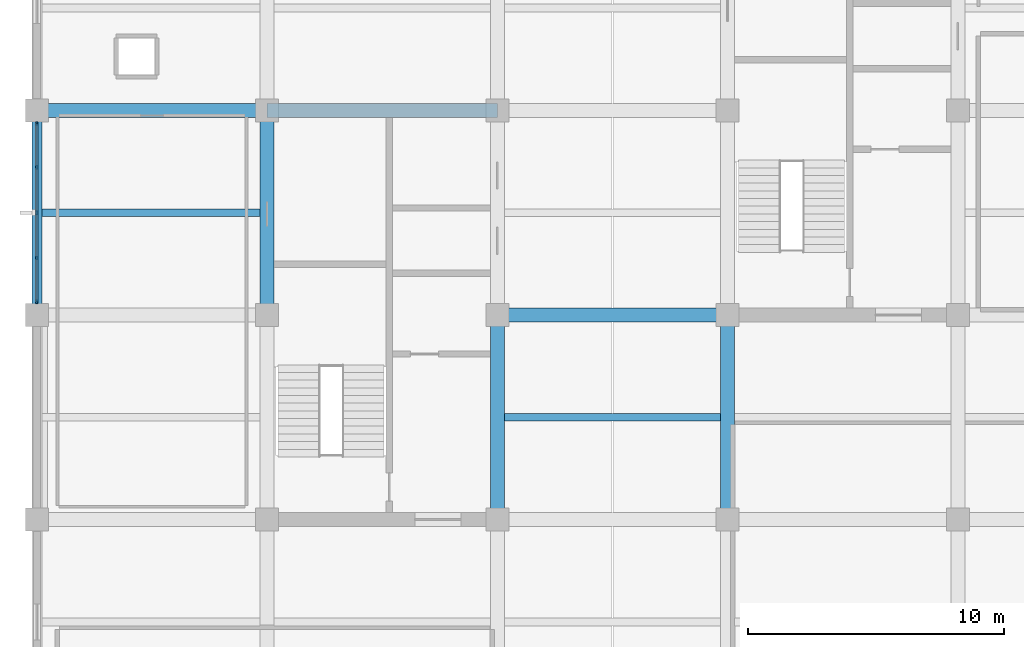
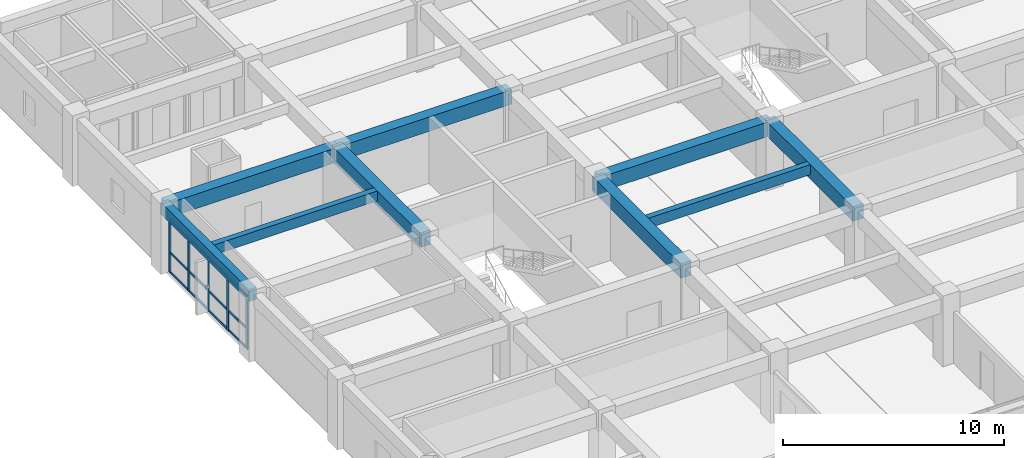
# One storey, part 6 of 23: 9 beams, 8 members, 1 element without a shape of its own.
"""IFC4 building model written with IfcOpenShell, lengths in metres."""

from ifc_helpers import new_model, si_unit, direction, frame, origin, origin_2d, place, context, subcontext, project, spatial, rectangle, extrude, material, material_profile, profile_set, type_object, element, aggregate, save


model = new_model("IFC4")

# Units and contexts
model_context = context("Model", 3, precision=1e-05, world=origin(), true_north=direction((0.0, 1.0)))
body_context = subcontext(model_context, "Body", "Model", "MODEL_VIEW")
ifc_project = project(units=[si_unit("LENGTHUNIT", "METRE"), si_unit("AREAUNIT", "SQUARE_METRE"), si_unit("VOLUMEUNIT", "CUBIC_METRE"), si_unit("PLANEANGLEUNIT", "RADIAN"), si_unit("MASSUNIT", "GRAM", prefix="KILO")], contexts=[model_context])

# Site, building, storey
site_placement = place(None, origin())
site = spatial("IfcSite", under=ifc_project, at=site_placement, CompositionType="ELEMENT")
building_placement = place(site_placement, origin())
building = spatial("IfcBuilding", under=site, at=building_placement, Name="Zaverband Oceanarium and Marine Research Institute", CompositionType="ELEMENT")
storey_placement = place(building_placement, frame((0.0, 0.0, 21.89990234375)))
storey = spatial("IfcBuildingStorey", under=building, at=storey_placement, Name="L05", CompositionType="ELEMENT", Elevation=21.89990234375)

# Beams
ifc_material_1 = material(Name="Concrete C40/50", Category="concrete")
ifc_material_profile_1 = material_profile(ifc_material_1, rectangle(XDim=0.550048828125, YDim=0.800048828125, at=origin_2d()), Name="RC550x800")
ifc_profile_set_1 = profile_set([ifc_material_profile_1], Name="Concrete C40/50")
beam_type_1 = type_object("IfcBeamType", Name="BM-550x800", PredefinedType="BEAM", material=ifc_profile_set_1)
for number, where, z_axis, x_axis, name in (
    (1, (27.0, 88.0, 3.25), (1.0, 0.0, 0.0), (0.0, 1.0, 0.0), "Primary floor girder BM-550x800"),
    (2, (9.0, 96.0, 3.25), (1.0, 0.0, 0.0), (0.0, 1.0, 0.0), "Primary floor girder BM-550x800"),
    (3, (18.0, 96.0, 3.25), (1.0, 0.0, 0.0), (0.0, 1.0, 0.0), "Primary floor girder BM-550x800"),
):
    element("IfcBeam", number, at=place(storey_placement, frame(where, z_axis=z_axis, x_axis=x_axis)), inside=storey, type_object=beam_type_1, Name=name, PredefinedType="BEAM", context=body_context, shape_type="SweptSolid", body=[
        extrude(rectangle(XDim=0.550048828125, YDim=0.800048828125, at=origin_2d()), origin(), (0.0, 0.0, 1.0), 9.0),
    ])
for number, where, z_axis, x_axis, name in (
    (4, (18.0, 88.0, 3.25), (0.0, 1.0, 0.0), (-1.0, 0.0, 0.0), "Primary floor girder BM-550x800"),
    (5, (27.0, 80.0, 3.25), (0.0, 1.0, 0.0), (-1.0, 0.0, 0.0), "Primary floor girder BM-550x800"),
    (6, (36.0, 80.0, 3.25), (0.0, 1.0, 0.0), (-1.0, 0.0, 0.0), "Primary floor girder BM-550x800"),
):
    element("IfcBeam", number, at=place(storey_placement, frame(where, z_axis=z_axis, x_axis=x_axis)), inside=storey, type_object=beam_type_1, Name=name, PredefinedType="BEAM", context=body_context, shape_type="SweptSolid", body=[
        extrude(rectangle(XDim=0.550048828125, YDim=0.800048828125, at=origin_2d()), origin(), (0.0, 0.0, 1.0), 8.0),
    ])
ifc_material_profile_2 = material_profile(ifc_material_1, rectangle(XDim=0.300048828125, YDim=0.550048828125, at=origin_2d()), Name="RC300x550")
ifc_profile_set_2 = profile_set([ifc_material_profile_2], Name="Concrete C40/50")
beam_type_2 = type_object("IfcBeamType", Name="JST-300x550", PredefinedType="JOIST", material=ifc_profile_set_2)
beam_1_placement = place(storey_placement, frame((9.199951171875, 92.0, 3.375), z_axis=(1.0, 0.0, 0.0), x_axis=(0.0, 1.0, 0.0)))
element("IfcBeam", 7, at=beam_1_placement, inside=storey, type_object=beam_type_2, Name="Secondary floor joist JST-300x550", PredefinedType="JOIST", context=body_context, shape_type="SweptSolid", body=[
    extrude(rectangle(XDim=0.300048828125, YDim=0.550048828125, at=origin_2d()), origin(), (0.0, 0.0, 1.0), 8.525146484375),
])
beam_2_placement = place(storey_placement, frame((27.27490234375, 84.0, 3.375), z_axis=(1.0, 0.0, 0.0), x_axis=(0.0, 1.0, 0.0)))
element("IfcBeam", 8, at=beam_2_placement, inside=storey, type_object=beam_type_2, Name="Secondary floor joist JST-300x550", PredefinedType="JOIST", context=body_context, shape_type="SweptSolid", body=[
    extrude(rectangle(XDim=0.300048828125, YDim=0.550048828125, at=origin_2d()), origin(), (0.0, 0.0, 1.0), 8.4501953125),
])

# Curtain wall, members
ifc_material_2 = material(Name="Thermally broken anodized aluminium and solar-control glass", Category="aluminium")
curtain_wall_type = type_object("IfcCurtainWallType", Name="CW-UNIT-1800", PredefinedType="NOTDEFINED", material=ifc_material_2)
curtain_wall_placement = place(storey_placement, origin())
curtain_wall = element("IfcCurtainWall", 9, at=curtain_wall_placement, inside=storey, type_object=curtain_wall_type, Name="Unitised glazed curtain wall CW-074", PredefinedType="NOTDEFINED")
ifc_material_3 = material(Name="Thermally broken anodized aluminium", Category="aluminium")
ifc_material_profile_3 = material_profile(ifc_material_3, rectangle(XDim=0.070068359375, YDim=0.14990234375, at=origin_2d()), Name="AL-MUL-70x150")
ifc_profile_set_3 = profile_set([ifc_material_profile_3], Name="Thermally broken anodized aluminium")
member_type_1 = type_object("IfcMemberType", Name="MUL-70x150", PredefinedType="MULLION", material=ifc_profile_set_3)
member_1_placement = place(storey_placement, frame((9.0, 88.514892578125, 0.0), z_axis=(0.0, 0.0, 1.0), x_axis=(1.0, 0.0, 0.0)))
member_1 = element("IfcMember", 10, at=member_1_placement, type_object=member_type_1, Name="Curtain wall vertical mullion MUL-70x150", PredefinedType="MULLION", context=body_context, shape_type="SweptSolid", body=[
    extrude(rectangle(XDim=0.070068359375, YDim=0.14990234375, at=origin_2d()), origin(), (0.0, 0.0, 1.0), 2.97998046875),
])
member_2_placement = place(storey_placement, frame((9.0, 90.2275390625, 0.0), z_axis=(0.0, 0.0, 1.0), x_axis=(1.0, 0.0, 0.0)))
member_2 = element("IfcMember", 11, at=member_2_placement, type_object=member_type_1, Name="Curtain wall vertical mullion MUL-70x150", PredefinedType="MULLION", context=body_context, shape_type="SweptSolid", body=[
    extrude(rectangle(XDim=0.070068359375, YDim=0.14990234375, at=origin_2d()), origin(), (0.0, 0.0, 1.0), 2.97998046875),
])
member_3_placement = place(storey_placement, frame((9.0, 92.0, 0.0), z_axis=(0.0, 0.0, 1.0), x_axis=(1.0, 0.0, 0.0)))
member_3 = element("IfcMember", 12, at=member_3_placement, type_object=member_type_1, Name="Curtain wall vertical mullion MUL-70x150", PredefinedType="MULLION", context=body_context, shape_type="SweptSolid", body=[
    extrude(rectangle(XDim=0.070068359375, YDim=0.14990234375, at=origin_2d()), origin(), (0.0, 0.0, 1.0), 2.97998046875),
])
member_4_placement = place(storey_placement, frame((9.0, 93.7724609375, 0.0), z_axis=(0.0, 0.0, 1.0), x_axis=(1.0, 0.0, 0.0)))
member_4 = element("IfcMember", 13, at=member_4_placement, type_object=member_type_1, Name="Curtain wall vertical mullion MUL-70x150", PredefinedType="MULLION", context=body_context, shape_type="SweptSolid", body=[
    extrude(rectangle(XDim=0.070068359375, YDim=0.14990234375, at=origin_2d()), origin(), (0.0, 0.0, 1.0), 2.97998046875),
])
member_5_placement = place(storey_placement, frame((9.0, 95.485107421875, 0.0), z_axis=(0.0, 0.0, 1.0), x_axis=(1.0, 0.0, 0.0)))
member_5 = element("IfcMember", 14, at=member_5_placement, type_object=member_type_1, Name="Curtain wall vertical mullion MUL-70x150", PredefinedType="MULLION", context=body_context, shape_type="SweptSolid", body=[
    extrude(rectangle(XDim=0.070068359375, YDim=0.14990234375, at=origin_2d()), origin(), (0.0, 0.0, 1.0), 2.97998046875),
])

# Beam
ifc_material_profile_4 = material_profile(ifc_material_1, rectangle(XDim=0.39990234375, YDim=0.64990234375, at=origin_2d()), Name="RC400x650")
ifc_profile_set_4 = profile_set([ifc_material_profile_4], Name="Concrete C40/50")
beam_type_3 = type_object("IfcBeamType", Name="SPN-400x650", PredefinedType="SPANDREL", material=ifc_profile_set_4)
beam_3_placement = place(storey_placement, frame((9.0, 88.0, 3.3251953125), z_axis=(0.0, 1.0, 0.0), x_axis=(-1.0, 0.0, 0.0)))
element("IfcBeam", 15, at=beam_3_placement, inside=storey, type_object=beam_type_3, Name="Perimeter spandrel beam SPN-400x650", PredefinedType="SPANDREL", context=body_context, shape_type="SweptSolid", body=[
    extrude(rectangle(XDim=0.39990234375, YDim=0.64990234375, at=origin_2d()), origin(), (0.0, 0.0, 1.0), 8.0),
])

# Member
ifc_material_profile_5 = material_profile(ifc_material_3, rectangle(XDim=0.070068359375, YDim=0.114990234375, at=origin_2d()), Name="AL-TRN-70x115")
ifc_profile_set_5 = profile_set([ifc_material_profile_5], Name="Thermally broken anodized aluminium")
member_type_2 = type_object("IfcMemberType", Name="TRN-70x115", PredefinedType="USERDEFINED", material=ifc_profile_set_5)
member_6_placement = place(storey_placement, frame((9.0, 88.514892578125, 0.050048828125), z_axis=(0.0, 1.0, 0.0), x_axis=(-1.0, 0.0, 0.0)))
member_6 = element("IfcMember", 16, at=member_6_placement, type_object=member_type_2, Name="Curtain wall horizontal transom TRN-70x115", ObjectType="TRANSOM", PredefinedType="USERDEFINED", context=body_context, shape_type="SweptSolid", body=[
    extrude(rectangle(XDim=0.070068359375, YDim=0.114990234375, at=origin_2d()), origin(), (0.0, 0.0, 1.0), 6.97021484375),
])

member_7_placement = place(storey_placement, frame((9.0, 88.514892578125, 1.123046875), z_axis=(0.0, 1.0, 0.0), x_axis=(-1.0, 0.0, 0.0)))
member_7 = element("IfcMember", 17, at=member_7_placement, type_object=member_type_2, Name="Curtain wall horizontal transom TRN-70x115", ObjectType="TRANSOM", PredefinedType="USERDEFINED", context=body_context, shape_type="SweptSolid", body=[
    extrude(rectangle(XDim=0.070068359375, YDim=0.114990234375, at=origin_2d()), origin(), (0.0, 0.0, 1.0), 6.97021484375),
])

member_8_placement = place(storey_placement, frame((9.0, 88.514892578125, 2.93017578125), z_axis=(0.0, 1.0, 0.0), x_axis=(-1.0, 0.0, 0.0)))
member_8 = element("IfcMember", 18, at=member_8_placement, type_object=member_type_2, Name="Curtain wall horizontal transom TRN-70x115", ObjectType="TRANSOM", PredefinedType="USERDEFINED", context=body_context, shape_type="SweptSolid", body=[
    extrude(rectangle(XDim=0.070068359375, YDim=0.114990234375, at=origin_2d()), origin(), (0.0, 0.0, 1.0), 6.97021484375),
])

aggregate(curtain_wall, [member_1, member_2, member_3, member_4, member_5, member_6, member_7, member_8])

save(model, "model.ifc")
